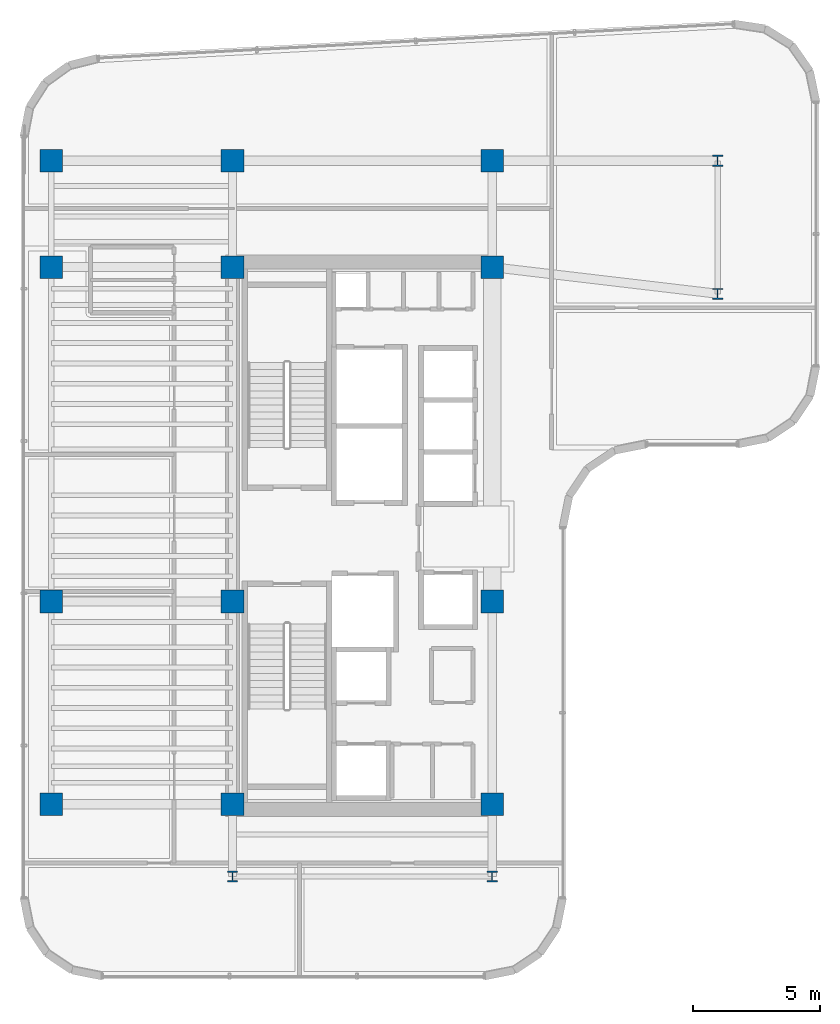
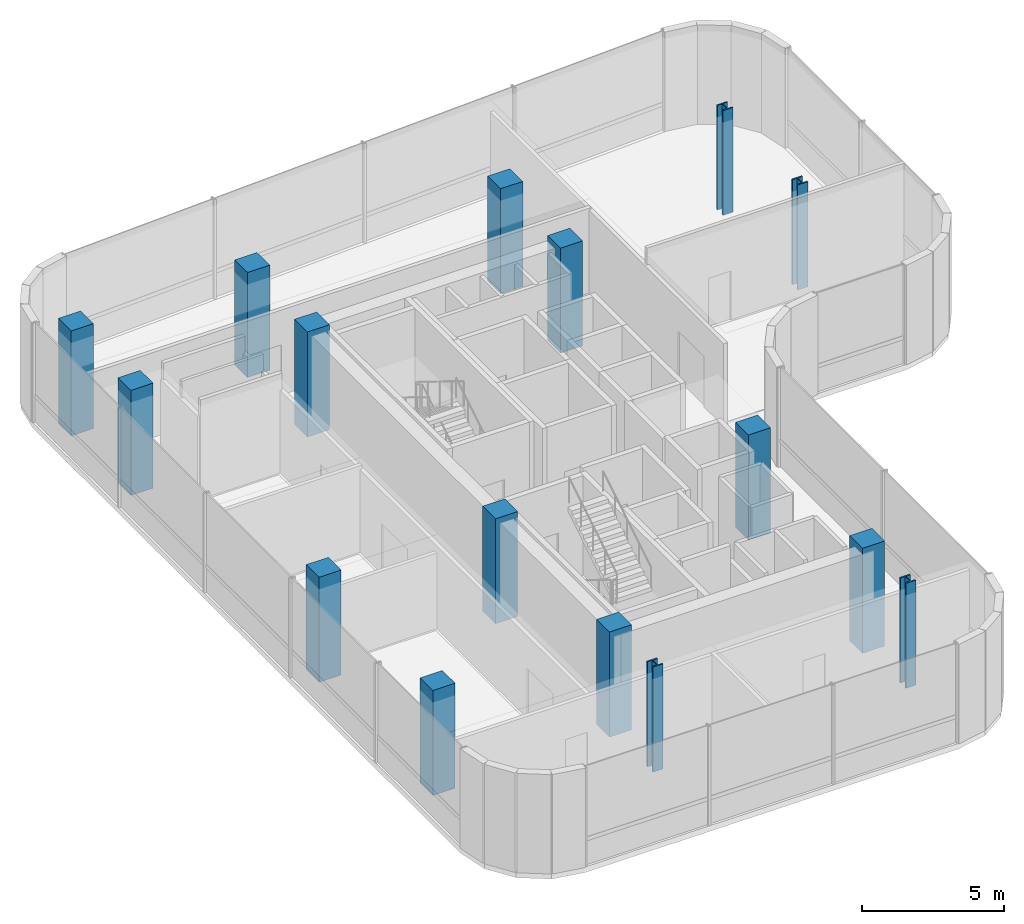
# One storey, part 1 of 17: 16 columns.
"""IFC4 building model written with IfcOpenShell, lengths in metres."""

from ifc_helpers import new_model, si_unit, direction, frame, origin, origin_2d, place, context, subcontext, project, spatial, rectangle, i_section, extrude, source, transform, mapped, material, material_profile, profile_set, type_object, element, save


model = new_model("IFC4")

# Units and contexts
model_context = context("Model", 3, precision=1e-05, world=origin(), true_north=direction((0.0, 1.0)))
body_context = subcontext(model_context, "Body", "Model", "MODEL_VIEW")
ifc_project = project(units=[si_unit("LENGTHUNIT", "METRE"), si_unit("AREAUNIT", "SQUARE_METRE"), si_unit("VOLUMEUNIT", "CUBIC_METRE"), si_unit("PLANEANGLEUNIT", "RADIAN"), si_unit("MASSUNIT", "GRAM", prefix="KILO")], contexts=[model_context])

# Site, building, storey
site_placement = place(None, origin())
site = spatial("IfcSite", under=ifc_project, at=site_placement, CompositionType="ELEMENT")
building_placement = place(site_placement, origin())
building = spatial("IfcBuilding", under=site, at=building_placement, Name="Valdorenza Pilgrim Sanctuary Tower", CompositionType="ELEMENT")
storey_placement = place(building_placement, frame((0.0, 0.0, 201.0)))
storey = spatial("IfcBuildingStorey", under=building, at=storey_placement, Name="L51", CompositionType="ELEMENT", Elevation=201.0)

# Columns
ifc_material_1 = material(Name="Concrete C50/60", Category="concrete")
ifc_material_profile_1 = material_profile(ifc_material_1, rectangle(XDim=0.89990234375, YDim=0.89990234375, at=origin_2d()), Name="RC 900x900")
ifc_profile_set_1 = profile_set([ifc_material_profile_1], Name="Concrete C50/60")
column_type_1 = type_object("IfcColumnType", Name="COL-Z4A-900", PredefinedType="COLUMN", material=ifc_profile_set_1)
shared_shape_1 = source(origin(), body_context, "Body", "SweptSolid", [
    extrude(rectangle(XDim=0.89990234375, YDim=0.89990234375, at=origin_2d()), origin(), (0.0, 0.0, 1.0), 4.5),
])
for number, where, z_axis, x_axis, name in (
    (1, (-29.800048828125, -10.60009765625, 0.0), (0.0, 0.0, 1.0), (1.0, 0.0, 0.0), "L51 Perimeter Column WA-W-S1"),
    (2, (-22.64990234375, -10.60009765625, 0.0), (0.0, 0.0, 1.0), (1.0, 0.0, 0.0), "L51 Column CA-W-S1"),
    (3, (-12.39990234375, -10.60009765625, 0.0), (0.0, 0.0, 1.0), (1.0, 0.0, 0.0), "L51 Column CA-E-S1"),
    (4, (-29.800048828125, -2.60009765625, 0.0), (0.0, 0.0, 1.0), (1.0, 0.0, 0.0), "L51 Perimeter Column WA-W-M0"),
    (5, (-22.64990234375, -2.60009765625, 0.0), (0.0, 0.0, 1.0), (1.0, 0.0, 0.0), "L51 Column CA-W-M0"),
    (6, (-12.39990234375, -2.60009765625, 0.0), (0.0, 0.0, 1.0), (1.0, 0.0, 0.0), "L51 Column CA-E-M0"),
    (7, (-29.800048828125, 10.60009765625, 0.0), (0.0, 0.0, 1.0), (1.0, 0.0, 0.0), "L51 Perimeter Column WA-W-N1"),
    (8, (-22.64990234375, 10.60009765625, 0.0), (0.0, 0.0, 1.0), (1.0, 0.0, 0.0), "L51 Column CA-W-N1"),
    (9, (-12.39990234375, 10.60009765625, 0.0), (0.0, 0.0, 1.0), (1.0, 0.0, 0.0), "L51 Column CA-E-N1"),
    (10, (-29.800048828125, 14.800048828125, 0.0), (0.0, 0.0, 1.0), (1.0, 0.0, 0.0), "L51 Perimeter Column WA-W-N2"),
    (11, (-22.64990234375, 14.800048828125, 0.0), (0.0, 0.0, 1.0), (1.0, 0.0, 0.0), "L51 Column CA-W-N2"),
    (12, (-12.39990234375, 14.800048828125, 0.0), (0.0, 0.0, 1.0), (1.0, 0.0, 0.0), "L51 Column CA-E-N2"),
):
    element("IfcColumn", number, at=place(storey_placement, frame(where, z_axis=z_axis, x_axis=x_axis)), inside=storey, type_object=column_type_1, Name=name, PredefinedType="COLUMN", context=body_context, shape_type="MappedRepresentation", body=[
        mapped(shared_shape_1, transform((0.0, 0.0, 0.0), x_axis=(1.0, 0.0, 0.0), y_axis=(0.0, 1.0, 0.0), z_axis=(0.0, 0.0, 1.0), scale=1.0)),
    ])
ifc_material_2 = material(Name="Steel ASTM A992 Grade 50", Category="steel")
ifc_material_profile_2 = material_profile(ifc_material_2, i_section(OverallWidth=0.412109375, OverallDepth=0.43505859375, WebThickness=0.035888671875, FlangeThickness=0.057373046875, at=origin_2d()), Name="W14X311")
ifc_profile_set_2 = profile_set([ifc_material_profile_2], Name="Steel ASTM A992 Grade 50")
column_type_2 = type_object("IfcColumnType", Name="COL-STL-W311", PredefinedType="COLUMN", material=ifc_profile_set_2)
shared_shape_2 = source(origin(), body_context, "Body", "SweptSolid", [
    extrude(i_section(OverallWidth=0.412109375, OverallDepth=0.43505859375, WebThickness=0.035888671875, FlangeThickness=0.057373046875, at=origin_2d()), origin(), (0.0, 0.0, 1.0), 4.5),
])
for number, where, z_axis, x_axis, name in (
    (13, (-22.64990234375, -13.449951171875, 0.0), (0.0, 0.0, 1.0), (1.0, 0.0, 0.0), "L51 Column WA-S-W"),
    (14, (-12.39990234375, -13.449951171875, 0.0), (0.0, 0.0, 1.0), (1.0, 0.0, 0.0), "L51 Column WA-S-E"),
    (15, (-3.5, 9.550048828125, 0.0), (0.0, 0.0, 1.0), (1.0, 0.0, 0.0), "L51 Column UWA-K1"),
    (16, (-3.5, 14.800048828125, 0.0), (0.0, 0.0, 1.0), (1.0, 0.0, 0.0), "L51 Column UWA-K2"),
):
    element("IfcColumn", number, at=place(storey_placement, frame(where, z_axis=z_axis, x_axis=x_axis)), inside=storey, type_object=column_type_2, Name=name, PredefinedType="COLUMN", context=body_context, shape_type="MappedRepresentation", body=[
        mapped(shared_shape_2, transform((0.0, 0.0, 0.0), x_axis=(1.0, 0.0, 0.0), y_axis=(0.0, 1.0, 0.0), z_axis=(0.0, 0.0, 1.0), scale=1.0)),
    ])

save(model, "model.ifc")
